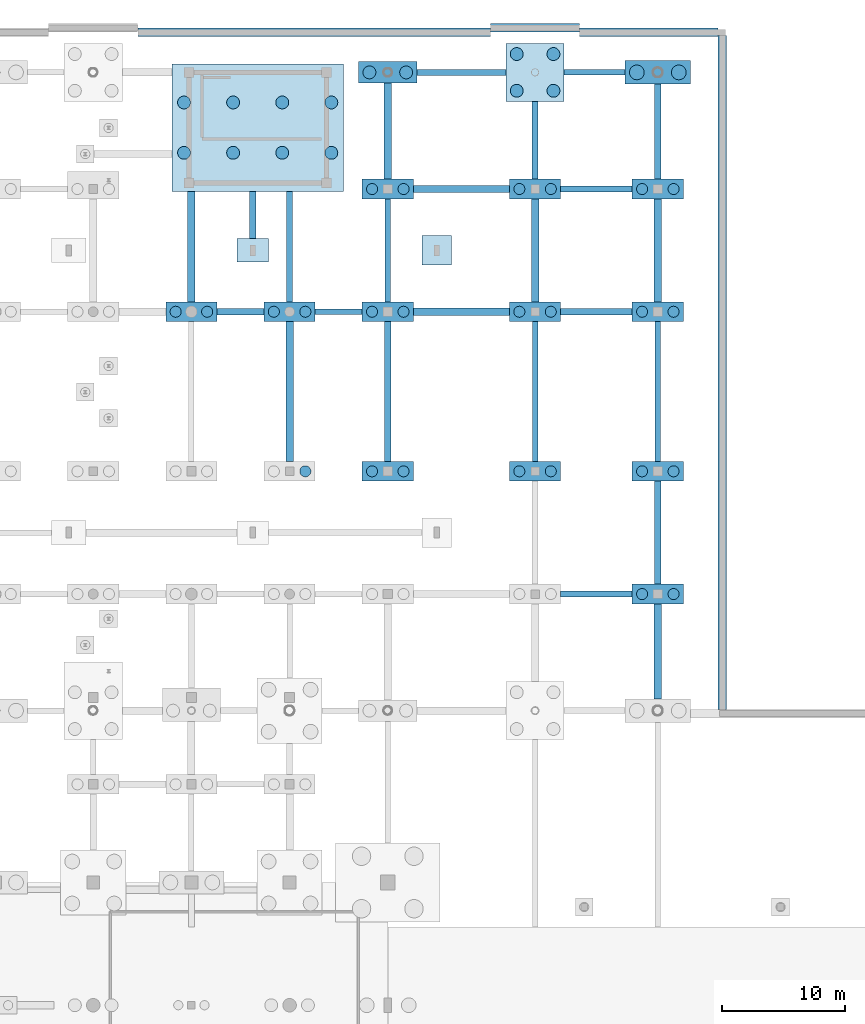
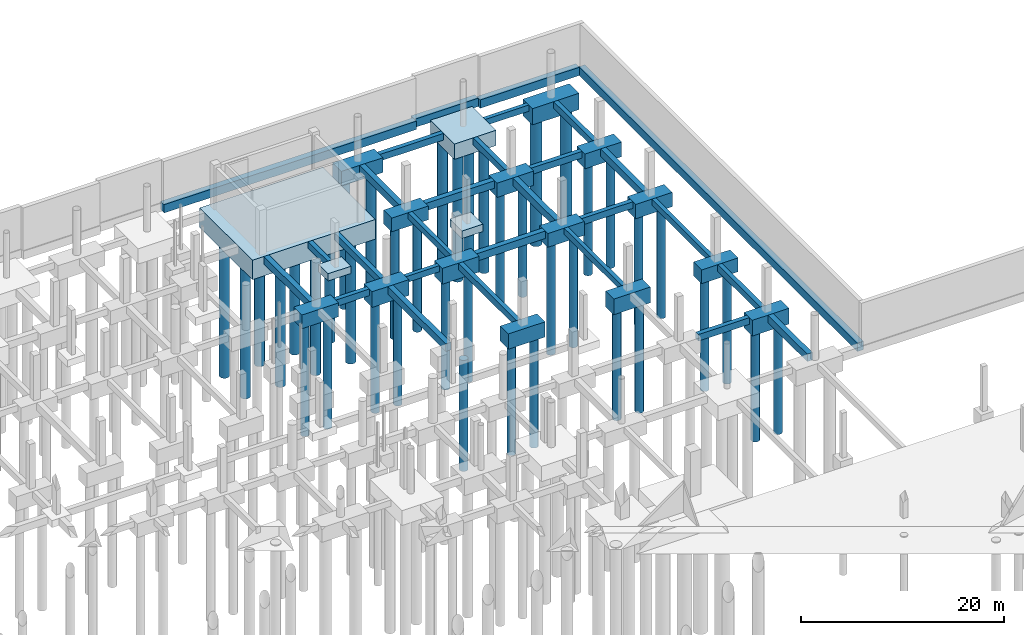
# One storey, part 17 of 65: 46 footings, 41 piles.
"""IFC4 building model written with IfcOpenShell, lengths in metres."""

from ifc_helpers import new_model, si_unit, direction, frame, origin, origin_2d, place, context, subcontext, project, spatial, rectangle, circle, extrude, material, material_profile, profile_set, type_object, element, save


model = new_model("IFC4")

# Units and contexts
model_context = context("Model", 3, precision=1e-05, world=origin(), true_north=direction((0.0, 1.0)))
body_context = subcontext(model_context, "Body", "Model", "MODEL_VIEW")
ifc_project = project(units=[si_unit("LENGTHUNIT", "METRE"), si_unit("AREAUNIT", "SQUARE_METRE"), si_unit("VOLUMEUNIT", "CUBIC_METRE"), si_unit("PLANEANGLEUNIT", "RADIAN"), si_unit("MASSUNIT", "GRAM", prefix="KILO")], contexts=[model_context])

# Site, building, storey
site_placement = place(None, origin())
site = spatial("IfcSite", under=ifc_project, at=site_placement, CompositionType="ELEMENT")
building_placement = place(site_placement, origin())
building = spatial("IfcBuilding", under=site, at=building_placement, Name="Khorjan Park Terminus", CompositionType="ELEMENT")
storey_placement = place(building_placement, frame((0.0, 0.0, -5.4)))
storey = spatial("IfcBuildingStorey", under=building, at=storey_placement, Name="B1", CompositionType="ELEMENT", Elevation=-5.4)

# Footings
ifc_material = material(Name="Concrete C40/50", Category="concrete")
ifc_material_profile_1 = material_profile(ifc_material, rectangle(XDim=0.45, YDim=0.75, at=origin_2d()), Name="RC 450x750")
ifc_profile_set_1 = profile_set([ifc_material_profile_1], Name="Concrete C40/50")
footing_type_1 = type_object("IfcFootingType", Name="FTG-GB-450x750", PredefinedType="FOOTING_BEAM", material=ifc_profile_set_1)
footing_1_placement = place(storey_placement, frame((130.083, 134.5, -0.375), z_axis=(1.0, 0.0, 0.0), x_axis=(0.0, 1.0, 0.0)))
element("IfcFooting", 1, at=footing_1_placement, inside=storey, type_object=footing_type_1, Name="Reinforced concrete ground tie beam FB-07 (149)", PredefinedType="FOOTING_BEAM", context=body_context, shape_type="SweptSolid", body=[
    extrude(rectangle(XDim=0.45, YDim=0.75, at=origin_2d()), origin(), (0.0, 0.0, 1.0), 3.834),
])
footing_2_placement = place(storey_placement, frame((150.371, 154.0, -0.375), z_axis=(1.0, 0.0, 0.0), x_axis=(0.0, 1.0, 0.0)))
element("IfcFooting", 2, at=footing_2_placement, inside=storey, type_object=footing_type_1, Name="Reinforced concrete ground tie beam FB-07 (179)", PredefinedType="FOOTING_BEAM", context=body_context, shape_type="SweptSolid", body=[
    extrude(rectangle(XDim=0.45, YDim=0.75, at=origin_2d()), origin(), (0.0, 0.0, 1.0), 4.969),
])
footing_3_placement = place(storey_placement, frame((136.0, 135.3, -0.375), z_axis=(0.0, 1.0, 0.0), x_axis=(-1.0, 0.0, 0.0)))
element("IfcFooting", 3, at=footing_3_placement, inside=storey, type_object=footing_type_1, Name="Reinforced concrete ground tie beam FB-07 (362)", PredefinedType="FOOTING_BEAM", context=body_context, shape_type="SweptSolid", body=[
    extrude(rectangle(XDim=0.45, YDim=0.75, at=origin_2d()), origin(), (0.0, 0.0, 1.0), 8.4),
])
for number, where, z_axis, x_axis, name in (
    (4, (148.0, 122.3, -0.375), (0.0, 1.0, 0.0), (-1.0, 0.0, 0.0), "Reinforced concrete ground tie beam FB-07 (368)"),
    (5, (158.0, 122.3, -0.375), (0.0, 1.0, 0.0), (-1.0, 0.0, 0.0), "Reinforced concrete ground tie beam FB-07 (374)"),
):
    element("IfcFooting", number, at=place(storey_placement, frame(where, z_axis=z_axis, x_axis=x_axis)), inside=storey, type_object=footing_type_1, Name=name, PredefinedType="FOOTING_BEAM", context=body_context, shape_type="SweptSolid", body=[
        extrude(rectangle(XDim=0.45, YDim=0.75, at=origin_2d()), origin(), (0.0, 0.0, 1.0), 11.4),
    ])
ifc_material_profile_2 = material_profile(ifc_material, rectangle(XDim=0.5, YDim=0.8, at=origin_2d()), Name="RC 500x800")
ifc_profile_set_2 = profile_set([ifc_material_profile_2], Name="Concrete C40/50")
footing_type_2 = type_object("IfcFootingType", Name="FTG-GB-500x800", PredefinedType="FOOTING_BEAM", material=ifc_profile_set_2)
footing_4_placement = place(storey_placement, frame((150.083, 111.5, -0.4), z_axis=(1.0, 0.0, 0.0), x_axis=(0.0, 1.0, 0.0)))
element("IfcFooting", 6, at=footing_4_placement, inside=storey, type_object=footing_type_2, Name="Reinforced concrete ground tie beam FB-08 (124)", PredefinedType="FOOTING_BEAM", context=body_context, shape_type="SweptSolid", body=[
    extrude(rectangle(XDim=0.5, YDim=0.8, at=origin_2d()), origin(), (0.0, 0.0, 1.0), 5.834),
])
footing_5_placement = place(storey_placement, frame((122.082, 134.5, -0.4), z_axis=(1.0, 0.0, 0.0), x_axis=(0.0, 1.0, 0.0)))
element("IfcFooting", 7, at=footing_5_placement, inside=storey, type_object=footing_type_2, Name="Reinforced concrete ground tie beam FB-08 (148)", PredefinedType="FOOTING_BEAM", context=body_context, shape_type="SweptSolid", body=[
    extrude(rectangle(XDim=0.5, YDim=0.8, at=origin_2d()), origin(), (0.0, 0.0, 1.0), 3.836),
])
for number, where, z_axis, x_axis, name in (
    (8, (150.083, 134.5, -0.4), (1.0, 0.0, 0.0), (0.0, 1.0, 0.0), "Reinforced concrete ground tie beam FB-08 (151)"),
    (9, (150.083, 144.5, -0.4), (1.0, 0.0, 0.0), (0.0, 1.0, 0.0), "Reinforced concrete ground tie beam FB-08 (163)"),
):
    element("IfcFooting", number, at=place(storey_placement, frame(where, z_axis=z_axis, x_axis=x_axis)), inside=storey, type_object=footing_type_2, Name=name, PredefinedType="FOOTING_BEAM", context=body_context, shape_type="SweptSolid", body=[
        extrude(rectangle(XDim=0.5, YDim=0.8, at=origin_2d()), origin(), (0.0, 0.0, 1.0), 5.834),
    ])
footing_6_placement = place(storey_placement, frame((138.371, 154.0, -0.4), z_axis=(1.0, 0.0, 0.0), x_axis=(0.0, 1.0, 0.0)))
element("IfcFooting", 10, at=footing_6_placement, inside=storey, type_object=footing_type_2, Name="Reinforced concrete ground tie beam FB-08 (178)", PredefinedType="FOOTING_BEAM", context=body_context, shape_type="SweptSolid", body=[
    extrude(rectangle(XDim=0.5, YDim=0.8, at=origin_2d()), origin(), (0.0, 0.0, 1.0), 7.258),
])
footing_7_placement = place(storey_placement, frame((125.0, 140.45, -0.4), z_axis=(0.0, 1.0, 0.0), x_axis=(-1.0, 0.0, 0.0)))
element("IfcFooting", 11, at=footing_7_placement, inside=storey, type_object=footing_type_2, Name="Reinforced concrete ground tie beam FB-08 (352)", PredefinedType="FOOTING_BEAM", context=body_context, shape_type="SweptSolid", body=[
    extrude(rectangle(XDim=0.5, YDim=0.8, at=origin_2d()), origin(), (0.0, 0.0, 1.0), 3.85),
])
footing_8_placement = place(storey_placement, frame((128.0, 135.3, -0.4), z_axis=(0.0, 1.0, 0.0), x_axis=(-1.0, 0.0, 0.0)))
element("IfcFooting", 12, at=footing_8_placement, inside=storey, type_object=footing_type_2, Name="Reinforced concrete ground tie beam FB-08 (358)", PredefinedType="FOOTING_BEAM", context=body_context, shape_type="SweptSolid", body=[
    extrude(rectangle(XDim=0.5, YDim=0.8, at=origin_2d()), origin(), (0.0, 0.0, 1.0), 9.0),
])
footing_9_placement = place(storey_placement, frame((136.0, 122.3, -0.4), z_axis=(0.0, 1.0, 0.0), x_axis=(-1.0, 0.0, 0.0)))
element("IfcFooting", 13, at=footing_9_placement, inside=storey, type_object=footing_type_2, Name="Reinforced concrete ground tie beam FB-08 (361)", PredefinedType="FOOTING_BEAM", context=body_context, shape_type="SweptSolid", body=[
    extrude(rectangle(XDim=0.5, YDim=0.8, at=origin_2d()), origin(), (0.0, 0.0, 1.0), 11.4),
])
footing_10_placement = place(storey_placement, frame((148.0, 145.3, -0.4), z_axis=(0.0, 1.0, 0.0), x_axis=(-1.0, 0.0, 0.0)))
element("IfcFooting", 14, at=footing_10_placement, inside=storey, type_object=footing_type_2, Name="Reinforced concrete ground tie beam FB-08 (370)", PredefinedType="FOOTING_BEAM", context=body_context, shape_type="SweptSolid", body=[
    extrude(rectangle(XDim=0.5, YDim=0.8, at=origin_2d()), origin(), (0.0, 0.0, 1.0), 6.329),
])
footing_11_placement = place(storey_placement, frame((158.0, 112.3, -0.4), z_axis=(0.0, 1.0, 0.0), x_axis=(-1.0, 0.0, 0.0)))
element("IfcFooting", 15, at=footing_11_placement, inside=storey, type_object=footing_type_2, Name="Reinforced concrete ground tie beam FB-08 (373)", PredefinedType="FOOTING_BEAM", context=body_context, shape_type="SweptSolid", body=[
    extrude(rectangle(XDim=0.5, YDim=0.8, at=origin_2d()), origin(), (0.0, 0.0, 1.0), 8.4),
])
footing_12_placement = place(storey_placement, frame((158.0, 145.3, -0.4), z_axis=(0.0, 1.0, 0.0), x_axis=(-1.0, 0.0, 0.0)))
element("IfcFooting", 16, at=footing_12_placement, inside=storey, type_object=footing_type_2, Name="Reinforced concrete ground tie beam FB-08 (376)", PredefinedType="FOOTING_BEAM", context=body_context, shape_type="SweptSolid", body=[
    extrude(rectangle(XDim=0.5, YDim=0.8, at=origin_2d()), origin(), (0.0, 0.0, 1.0), 7.75),
])
ifc_material_profile_3 = material_profile(ifc_material, rectangle(XDim=0.6, YDim=0.9, at=origin_2d()), Name="RC 600x900")
ifc_profile_set_3 = profile_set([ifc_material_profile_3], Name="Concrete C40/50")
footing_type_3 = type_object("IfcFootingType", Name="FTG-GB-600x900", PredefinedType="FOOTING_BEAM", material=ifc_profile_set_3)
for number, where, z_axis, x_axis, name in (
    (17, (138.083, 134.5, -0.45), (1.0, 0.0, 0.0), (0.0, 1.0, 0.0), "Reinforced concrete ground tie beam FB-09 (150)"),
    (18, (138.083, 144.5, -0.45), (1.0, 0.0, 0.0), (0.0, 1.0, 0.0), "Reinforced concrete ground tie beam FB-09 (162)"),
):
    element("IfcFooting", number, at=place(storey_placement, frame(where, z_axis=z_axis, x_axis=x_axis)), inside=storey, type_object=footing_type_3, Name=name, PredefinedType="FOOTING_BEAM", context=body_context, shape_type="SweptSolid", body=[
        extrude(rectangle(XDim=0.6, YDim=0.9, at=origin_2d()), origin(), (0.0, 0.0, 1.0), 7.834),
    ])
footing_13_placement = place(storey_placement, frame((120.0, 135.3, -0.45), z_axis=(0.0, 1.0, 0.0), x_axis=(-1.0, 0.0, 0.0)))
element("IfcFooting", 19, at=footing_13_placement, inside=storey, type_object=footing_type_3, Name="Reinforced concrete ground tie beam FB-09 (351)", PredefinedType="FOOTING_BEAM", context=body_context, shape_type="SweptSolid", body=[
    extrude(rectangle(XDim=0.6, YDim=0.9, at=origin_2d()), origin(), (0.0, 0.0, 1.0), 9.0),
])
footing_14_placement = place(storey_placement, frame((128.0, 122.3, -0.45), z_axis=(0.0, 1.0, 0.0), x_axis=(-1.0, 0.0, 0.0)))
element("IfcFooting", 20, at=footing_14_placement, inside=storey, type_object=footing_type_3, Name="Reinforced concrete ground tie beam FB-09 (357)", PredefinedType="FOOTING_BEAM", context=body_context, shape_type="SweptSolid", body=[
    extrude(rectangle(XDim=0.6, YDim=0.9, at=origin_2d()), origin(), (0.0, 0.0, 1.0), 11.4),
])
footing_15_placement = place(storey_placement, frame((136.0, 145.3, -0.45), z_axis=(0.0, 1.0, 0.0), x_axis=(-1.0, 0.0, 0.0)))
element("IfcFooting", 21, at=footing_15_placement, inside=storey, type_object=footing_type_3, Name="Reinforced concrete ground tie beam FB-09 (363)", PredefinedType="FOOTING_BEAM", context=body_context, shape_type="SweptSolid", body=[
    extrude(rectangle(XDim=0.6, YDim=0.9, at=origin_2d()), origin(), (0.0, 0.0, 1.0), 7.825),
])
footing_16_placement = place(storey_placement, frame((148.0, 135.3, -0.45), z_axis=(0.0, 1.0, 0.0), x_axis=(-1.0, 0.0, 0.0)))
element("IfcFooting", 22, at=footing_16_placement, inside=storey, type_object=footing_type_3, Name="Reinforced concrete ground tie beam FB-09 (369)", PredefinedType="FOOTING_BEAM", context=body_context, shape_type="SweptSolid", body=[
    extrude(rectangle(XDim=0.6, YDim=0.9, at=origin_2d()), origin(), (0.0, 0.0, 1.0), 8.4),
])
footing_17_placement = place(storey_placement, frame((158.0, 102.95, -0.45), z_axis=(0.0, 1.0, 0.0), x_axis=(-1.0, 0.0, 0.0)))
element("IfcFooting", 23, at=footing_17_placement, inside=storey, type_object=footing_type_3, Name="Reinforced concrete ground tie beam FB-09 (372)", PredefinedType="FOOTING_BEAM", context=body_context, shape_type="SweptSolid", body=[
    extrude(rectangle(XDim=0.6, YDim=0.9, at=origin_2d()), origin(), (0.0, 0.0, 1.0), 7.75),
])
footing_18_placement = place(storey_placement, frame((158.0, 135.3, -0.45), z_axis=(0.0, 1.0, 0.0), x_axis=(-1.0, 0.0, 0.0)))
element("IfcFooting", 24, at=footing_18_placement, inside=storey, type_object=footing_type_3, Name="Reinforced concrete ground tie beam FB-09 (375)", PredefinedType="FOOTING_BEAM", context=body_context, shape_type="SweptSolid", body=[
    extrude(rectangle(XDim=0.6, YDim=0.9, at=origin_2d()), origin(), (0.0, 0.0, 1.0), 8.4),
])
footing_type_4 = type_object("IfcFootingType", Name="FTG-PAD-2400", PredefinedType="PAD_FOOTING", material=ifc_material)
footing_19_placement = place(storey_placement, frame((140.0, 139.5, -0.9), z_axis=(0.0, 0.0, 1.0), x_axis=(1.0, 0.0, 0.0)))
element("IfcFooting", 25, at=footing_19_placement, inside=storey, type_object=footing_type_4, Name="Reinforced concrete pad footing PF-24 (20)", PredefinedType="PAD_FOOTING", context=body_context, shape_type="SweptSolid", body=[
    extrude(rectangle(XDim=2.4, YDim=2.4, at=origin_2d()), origin(), (0.0, 0.0, 1.0), 0.9),
])
footing_type_5 = type_object("IfcFootingType", Name="FTG-PAD-2600x1900", PredefinedType="PAD_FOOTING", material=ifc_material)
footing_20_placement = place(storey_placement, frame((125.0, 139.5, -0.88), z_axis=(0.0, 0.0, 1.0), x_axis=(1.0, 0.0, 0.0)))
element("IfcFooting", 26, at=footing_20_placement, inside=storey, type_object=footing_type_5, Name="Reinforced concrete pad footing PF-26 (19)", PredefinedType="PAD_FOOTING", context=body_context, shape_type="SweptSolid", body=[
    extrude(rectangle(XDim=2.6, YDim=1.9, at=origin_2d()), origin(), (0.0, 0.0, 1.0), 0.88),
])
footing_type_6 = type_object("IfcFootingType", Name="FTG-PC-02", PredefinedType="PILE_CAP", material=ifc_material)
footing_21_placement = place(storey_placement, frame((128.0005, 134.5, -1.9), z_axis=(0.0, 0.0, 1.0), x_axis=(1.0, 0.0, 0.0)))
element("IfcFooting", 27, at=footing_21_placement, inside=storey, type_object=footing_type_6, Name="Reinforced concrete pile cap PC-02 (244)", PredefinedType="PILE_CAP", context=body_context, shape_type="SweptSolid", body=[
    extrude(rectangle(XDim=4.165, YDim=1.6, at=origin_2d()), origin(), (0.0, 0.0, 1.0), 1.9),
])
for number, where, z_axis, x_axis, name in (
    (28, (136.0, 134.5, -1.9), (0.0, 0.0, 1.0), (1.0, 0.0, 0.0), "Reinforced concrete pile cap PC-02 (254)"),
    (29, (148.0, 121.5, -1.9), (0.0, 0.0, 1.0), (1.0, 0.0, 0.0), "Reinforced concrete pile cap PC-02 (260)"),
    (30, (158.0, 111.5, -1.9), (0.0, 0.0, 1.0), (1.0, 0.0, 0.0), "Reinforced concrete pile cap PC-02 (266)"),
):
    element("IfcFooting", number, at=place(storey_placement, frame(where, z_axis=z_axis, x_axis=x_axis)), inside=storey, type_object=footing_type_6, Name=name, PredefinedType="PILE_CAP", context=body_context, shape_type="SweptSolid", body=[
        extrude(rectangle(XDim=4.166, YDim=1.6, at=origin_2d()), origin(), (0.0, 0.0, 1.0), 1.9),
    ])
footing_type_7 = type_object("IfcFootingType", Name="FTG-PC-05", PredefinedType="PILE_CAP", material=ifc_material)
footing_22_placement = place(storey_placement, frame((158.0, 144.5, -1.78), z_axis=(0.0, 0.0, 1.0), x_axis=(1.0, 0.0, 0.0)))
element("IfcFooting", 31, at=footing_22_placement, inside=storey, type_object=footing_type_7, Name="Reinforced concrete pile cap PC-05 (269)", PredefinedType="PILE_CAP", context=body_context, shape_type="SweptSolid", body=[
    extrude(rectangle(XDim=4.166, YDim=1.6, at=origin_2d()), origin(), (0.0, 0.0, 1.0), 1.78),
])
footing_type_8 = type_object("IfcFootingType", Name="FTG-PC-06", PredefinedType="PILE_CAP", material=ifc_material)
footing_23_placement = place(storey_placement, frame((136.0, 121.5, -1.84), z_axis=(0.0, 0.0, 1.0), x_axis=(1.0, 0.0, 0.0)))
element("IfcFooting", 32, at=footing_23_placement, inside=storey, type_object=footing_type_8, Name="Reinforced concrete pile cap PC-06 (253)", PredefinedType="PILE_CAP", context=body_context, shape_type="SweptSolid", body=[
    extrude(rectangle(XDim=4.166, YDim=1.6, at=origin_2d()), origin(), (0.0, 0.0, 1.0), 1.84),
])
footing_type_9 = type_object("IfcFootingType", Name="FTG-PC-07", PredefinedType="PILE_CAP", material=ifc_material)
for number, where, z_axis, x_axis, name in (
    (33, (136.0, 144.5, -1.66), (0.0, 0.0, 1.0), (1.0, 0.0, 0.0), "Reinforced concrete pile cap PC-07 (255)"),
    (34, (148.0, 134.5, -1.66), (0.0, 0.0, 1.0), (1.0, 0.0, 0.0), "Reinforced concrete pile cap PC-07 (261)"),
    (35, (158.0, 121.5, -1.66), (0.0, 0.0, 1.0), (1.0, 0.0, 0.0), "Reinforced concrete pile cap PC-07 (267)"),
):
    element("IfcFooting", number, at=place(storey_placement, frame(where, z_axis=z_axis, x_axis=x_axis)), inside=storey, type_object=footing_type_9, Name=name, PredefinedType="PILE_CAP", context=body_context, shape_type="SweptSolid", body=[
        extrude(rectangle(XDim=4.166, YDim=1.6, at=origin_2d()), origin(), (0.0, 0.0, 1.0), 1.66),
    ])
footing_type_10 = type_object("IfcFootingType", Name="FTG-PC-08", PredefinedType="PILE_CAP", material=ifc_material)
for number, where, z_axis, x_axis, name in (
    (36, (148.0, 144.5, -1.72), (0.0, 0.0, 1.0), (1.0, 0.0, 0.0), "Reinforced concrete pile cap PC-08 (262)"),
    (37, (158.0, 134.5, -1.72), (0.0, 0.0, 1.0), (1.0, 0.0, 0.0), "Reinforced concrete pile cap PC-08 (268)"),
):
    element("IfcFooting", number, at=place(storey_placement, frame(where, z_axis=z_axis, x_axis=x_axis)), inside=storey, type_object=footing_type_10, Name=name, PredefinedType="PILE_CAP", context=body_context, shape_type="SweptSolid", body=[
        extrude(rectangle(XDim=4.166, YDim=1.6, at=origin_2d()), origin(), (0.0, 0.0, 1.0), 1.72),
    ])
footing_type_11 = type_object("IfcFootingType", Name="FTG-PC-13", PredefinedType="PILE_CAP", material=ifc_material)
footing_24_placement = place(storey_placement, frame((120.0, 134.5, -1.66), z_axis=(0.0, 0.0, 1.0), x_axis=(1.0, 0.0, 0.0)))
element("IfcFooting", 38, at=footing_24_placement, inside=storey, type_object=footing_type_11, Name="Reinforced concrete pile cap PC-13 (237)", PredefinedType="PILE_CAP", context=body_context, shape_type="SweptSolid", body=[
    extrude(rectangle(XDim=4.164, YDim=1.6, at=origin_2d()), origin(), (0.0, 0.0, 1.0), 1.66),
])
footing_type_12 = type_object("IfcFootingType", Name="FTG-PC-47", PredefinedType="PILE_CAP", material=ifc_material)
footing_25_placement = place(storey_placement, frame((158.0, 154.0, -1.96), z_axis=(0.0, 0.0, 1.0), x_axis=(1.0, 0.0, 0.0)))
element("IfcFooting", 39, at=footing_25_placement, inside=storey, type_object=footing_type_12, Name="Reinforced concrete pile cap PC-47 (265)", PredefinedType="PILE_CAP", context=body_context, shape_type="SweptSolid", body=[
    extrude(rectangle(XDim=5.32, YDim=1.9, at=origin_2d()), origin(), (0.0, 0.0, 1.0), 1.96),
])
footing_type_13 = type_object("IfcFootingType", Name="FTG-PC-52", PredefinedType="PILE_CAP", material=ifc_material)
footing_26_placement = place(storey_placement, frame((148.0, 154.0, -1.84), z_axis=(0.0, 0.0, 1.0), x_axis=(1.0, 0.0, 0.0)))
element("IfcFooting", 40, at=footing_26_placement, inside=storey, type_object=footing_type_13, Name="Reinforced concrete pile cap PC-52 (258)", PredefinedType="PILE_CAP", context=body_context, shape_type="SweptSolid", body=[
    extrude(rectangle(XDim=4.742, YDim=4.742, at=origin_2d()), origin(), (0.0, 0.0, 1.0), 1.84),
])
footing_type_14 = type_object("IfcFootingType", Name="FTG-PC-54", PredefinedType="PILE_CAP", material=ifc_material)
footing_27_placement = place(storey_placement, frame((125.4, 149.5, -2.36), z_axis=(0.0, 0.0, 1.0), x_axis=(1.0, 0.0, 0.0)))
element("IfcFooting", 41, at=footing_27_placement, inside=storey, type_object=footing_type_14, Name="Reinforced concrete pile cap PC-54 (238)", PredefinedType="PILE_CAP", context=body_context, shape_type="SweptSolid", body=[
    extrude(rectangle(XDim=14.0, YDim=10.4, at=origin_2d()), origin(), (0.0, 0.0, 1.0), 2.36),
])
footing_type_15 = type_object("IfcFootingType", Name="FTG-PC-56", PredefinedType="PILE_CAP", material=ifc_material)
footing_28_placement = place(storey_placement, frame((136.0, 154.0, -1.78), z_axis=(0.0, 0.0, 1.0), x_axis=(1.0, 0.0, 0.0)))
element("IfcFooting", 42, at=footing_28_placement, inside=storey, type_object=footing_type_15, Name="Reinforced concrete pile cap PC-56 (251)", PredefinedType="PILE_CAP", context=body_context, shape_type="SweptSolid", body=[
    extrude(rectangle(XDim=4.742, YDim=1.75, at=origin_2d()), origin(), (0.0, 0.0, 1.0), 1.78),
])
ifc_material_profile_4 = material_profile(ifc_material, rectangle(XDim=0.7, YDim=1.0, at=origin_2d()), Name="RC 700x1000")
ifc_profile_set_4 = profile_set([ifc_material_profile_4], Name="Concrete C40/50")
footing_type_16 = type_object("IfcFootingType", Name="FTG-SF-700x1000", PredefinedType="STRIP_FOOTING", material=ifc_profile_set_4)
footing_29_placement = place(storey_placement, frame((163.26, 157.02, -0.5), z_axis=(0.0, -1.0, 0.0), x_axis=(1.0, 0.0, 0.0)))
element("IfcFooting", 43, at=footing_29_placement, inside=storey, type_object=footing_type_16, Name="Reinforced concrete wall strip footing SF-07 (45)", PredefinedType="STRIP_FOOTING", context=body_context, shape_type="SweptSolid", body=[
    extrude(rectangle(XDim=0.7, YDim=1.0, at=origin_2d()), origin(), (0.0, 0.0, 1.0), 54.907),
])
footing_30_placement = place(storey_placement, frame((115.631, 157.26, -0.5), z_axis=(1.0, 0.0, 0.0), x_axis=(0.0, 1.0, 0.0)))
element("IfcFooting", 44, at=footing_30_placement, inside=storey, type_object=footing_type_16, Name="Reinforced concrete wall strip footing SF-07 (48)", PredefinedType="STRIP_FOOTING", context=body_context, shape_type="SweptSolid", body=[
    extrude(rectangle(XDim=0.7, YDim=1.0, at=origin_2d()), origin(), (0.0, 0.0, 1.0), 28.738),
])
footing_31_placement = place(storey_placement, frame((151.631, 157.26, -0.5), z_axis=(1.0, 0.0, 0.0), x_axis=(0.0, 1.0, 0.0)))
element("IfcFooting", 45, at=footing_31_placement, inside=storey, type_object=footing_type_16, Name="Reinforced concrete wall strip footing SF-07 (55)", PredefinedType="STRIP_FOOTING", context=body_context, shape_type="SweptSolid", body=[
    extrude(rectangle(XDim=0.7, YDim=1.0, at=origin_2d()), origin(), (0.0, 0.0, 1.0), 11.276),
])
footing_32_placement = place(storey_placement, frame((144.372, 157.631, -0.5), z_axis=(1.0, 0.0, 0.0), x_axis=(0.0, 1.0, 0.0)))
element("IfcFooting", 46, at=footing_32_placement, inside=storey, type_object=footing_type_16, Name="Reinforced concrete wall strip footing SF-07 (77)", PredefinedType="STRIP_FOOTING", context=body_context, shape_type="SweptSolid", body=[
    extrude(rectangle(XDim=0.7, YDim=1.0, at=origin_2d()), origin(), (0.0, 0.0, 1.0), 7.256),
])

# Piles
ifc_material_profile_5 = material_profile(ifc_material, circle(Radius=0.525, at=origin_2d()), Name="BORED D1050")
ifc_profile_set_5 = profile_set([ifc_material_profile_5], Name="Concrete C40/50")
pile_type_1 = type_object("IfcPileType", Name="PL-D1050", PredefinedType="BORED", material=ifc_profile_set_5)
for number, where, z_axis, x_axis, name in (
    (47, (119.4, 147.45, -2.26), (0.0, 0.0, -1.0), (1.0, 0.0, 0.0), "Bored rock-socketed pile PL-105 (785)"),
    (48, (119.4, 151.55, -2.26), (0.0, 0.0, -1.0), (1.0, 0.0, 0.0), "Bored rock-socketed pile PL-105 (786)"),
    (49, (123.4, 147.45, -2.26), (0.0, 0.0, -1.0), (1.0, 0.0, 0.0), "Bored rock-socketed pile PL-105 (787)"),
    (50, (123.4, 151.55, -2.26), (0.0, 0.0, -1.0), (1.0, 0.0, 0.0), "Bored rock-socketed pile PL-105 (788)"),
    (51, (127.4, 147.45, -2.26), (0.0, 0.0, -1.0), (1.0, 0.0, 0.0), "Bored rock-socketed pile PL-105 (789)"),
    (52, (127.4, 151.55, -2.26), (0.0, 0.0, -1.0), (1.0, 0.0, 0.0), "Bored rock-socketed pile PL-105 (790)"),
    (53, (131.4, 147.45, -2.26), (0.0, 0.0, -1.0), (1.0, 0.0, 0.0), "Bored rock-socketed pile PL-105 (791)"),
    (54, (131.4, 151.55, -2.26), (0.0, 0.0, -1.0), (1.0, 0.0, 0.0), "Bored rock-socketed pile PL-105 (792)"),
):
    element("IfcPile", number, at=place(storey_placement, frame(where, z_axis=z_axis, x_axis=x_axis)), inside=storey, type_object=pile_type_1, Name=name, PredefinedType="BORED", context=body_context, shape_type="SweptSolid", body=[
        extrude(circle(Radius=0.525, at=origin_2d()), origin(), (0.0, 0.0, 1.0), 16.34),
    ])
for number, where, z_axis, x_axis, name in (
    (55, (134.5035, 154.0, -1.68), (0.0, 0.0, -1.0), (1.0, 0.0, 0.0), "Bored rock-socketed pile PL-105 (819)"),
    (56, (137.4965, 154.0, -1.68), (0.0, 0.0, -1.0), (1.0, 0.0, 0.0), "Bored rock-socketed pile PL-105 (820)"),
):
    element("IfcPile", number, at=place(storey_placement, frame(where, z_axis=z_axis, x_axis=x_axis)), inside=storey, type_object=pile_type_1, Name=name, PredefinedType="BORED", context=body_context, shape_type="SweptSolid", body=[
        extrude(circle(Radius=0.525, at=origin_2d()), origin(), (0.0, 0.0, 1.0), 15.42),
    ])
for number, where, z_axis, x_axis, name in (
    (57, (146.5035, 152.5035, -1.74), (0.0, 0.0, -1.0), (1.0, 0.0, 0.0), "Bored rock-socketed pile PL-105 (834)"),
    (58, (146.5035, 155.4965, -1.74), (0.0, 0.0, -1.0), (1.0, 0.0, 0.0), "Bored rock-socketed pile PL-105 (835)"),
    (59, (149.4965, 152.5035, -1.74), (0.0, 0.0, -1.0), (1.0, 0.0, 0.0), "Bored rock-socketed pile PL-105 (836)"),
    (60, (149.4965, 155.4965, -1.74), (0.0, 0.0, -1.0), (1.0, 0.0, 0.0), "Bored rock-socketed pile PL-105 (837)"),
):
    element("IfcPile", number, at=place(storey_placement, frame(where, z_axis=z_axis, x_axis=x_axis)), inside=storey, type_object=pile_type_1, Name=name, PredefinedType="BORED", context=body_context, shape_type="SweptSolid", body=[
        extrude(circle(Radius=0.525, at=origin_2d()), origin(), (0.0, 0.0, 1.0), 15.36),
    ])
ifc_material_profile_6 = material_profile(ifc_material, circle(Radius=0.6, at=origin_2d()), Name="BORED D1200")
ifc_profile_set_6 = profile_set([ifc_material_profile_6], Name="Concrete C40/50")
pile_type_2 = type_object("IfcPileType", Name="PL-D1200", PredefinedType="BORED", material=ifc_profile_set_6)
for number, where, z_axis, x_axis, name in (
    (61, (156.29, 154.0, -1.86), (0.0, 0.0, -1.0), (1.0, 0.0, 0.0), "Bored rock-socketed pile PL-120 (849)"),
    (62, (159.71, 154.0, -1.86), (0.0, 0.0, -1.0), (1.0, 0.0, 0.0), "Bored rock-socketed pile PL-120 (850)"),
):
    element("IfcPile", number, at=place(storey_placement, frame(where, z_axis=z_axis, x_axis=x_axis)), inside=storey, type_object=pile_type_2, Name=name, PredefinedType="BORED", context=body_context, shape_type="SweptSolid", body=[
        extrude(circle(Radius=0.6, at=origin_2d()), origin(), (0.0, 0.0, 1.0), 15.24),
    ])
ifc_material_profile_7 = material_profile(ifc_material, circle(Radius=0.45, at=origin_2d()), Name="BORED D900")
ifc_profile_set_7 = profile_set([ifc_material_profile_7], Name="Concrete C40/50")
pile_type_3 = type_object("IfcPileType", Name="PL-D900", PredefinedType="BORED", material=ifc_profile_set_7)
for number, where, z_axis, x_axis, name in (
    (63, (118.7175, 134.5, -1.56), (0.0, 0.0, -1.0), (1.0, 0.0, 0.0), "Bored rock-socketed pile PL-90 (783)"),
    (64, (121.2825, 134.5, -1.56), (0.0, 0.0, -1.0), (1.0, 0.0, 0.0), "Bored rock-socketed pile PL-90 (784)"),
):
    element("IfcPile", number, at=place(storey_placement, frame(where, z_axis=z_axis, x_axis=x_axis)), inside=storey, type_object=pile_type_3, Name=name, PredefinedType="BORED", context=body_context, shape_type="SweptSolid", body=[
        extrude(circle(Radius=0.45, at=origin_2d()), origin(), (0.0, 0.0, 1.0), 13.54),
    ])
pile_placement = place(storey_placement, frame((129.2825, 121.5, -1.74), z_axis=(0.0, 0.0, -1.0), x_axis=(1.0, 0.0, 0.0)))
element("IfcPile", 65, at=pile_placement, inside=storey, type_object=pile_type_3, Name="Bored rock-socketed pile PL-90 (806)", PredefinedType="BORED", context=body_context, shape_type="SweptSolid", body=[
    extrude(circle(Radius=0.45, at=origin_2d()), origin(), (0.0, 0.0, 1.0), 13.36),
])
for number, where, z_axis, x_axis, name in (
    (66, (126.7175, 134.5, -1.8), (0.0, 0.0, -1.0), (1.0, 0.0, 0.0), "Bored rock-socketed pile PL-90 (807)"),
    (67, (129.2825, 134.5, -1.8), (0.0, 0.0, -1.0), (1.0, 0.0, 0.0), "Bored rock-socketed pile PL-90 (808)"),
):
    element("IfcPile", number, at=place(storey_placement, frame(where, z_axis=z_axis, x_axis=x_axis)), inside=storey, type_object=pile_type_3, Name=name, PredefinedType="BORED", context=body_context, shape_type="SweptSolid", body=[
        extrude(circle(Radius=0.45, at=origin_2d()), origin(), (0.0, 0.0, 1.0), 13.3),
    ])
for number, where, z_axis, x_axis, name in (
    (68, (134.7175, 121.5, -1.74), (0.0, 0.0, -1.0), (1.0, 0.0, 0.0), "Bored rock-socketed pile PL-90 (823)"),
    (69, (137.2825, 121.5, -1.74), (0.0, 0.0, -1.0), (1.0, 0.0, 0.0), "Bored rock-socketed pile PL-90 (824)"),
):
    element("IfcPile", number, at=place(storey_placement, frame(where, z_axis=z_axis, x_axis=x_axis)), inside=storey, type_object=pile_type_3, Name=name, PredefinedType="BORED", context=body_context, shape_type="SweptSolid", body=[
        extrude(circle(Radius=0.45, at=origin_2d()), origin(), (0.0, 0.0, 1.0), 13.36),
    ])
for number, where, z_axis, x_axis, name in (
    (70, (134.7175, 134.5, -1.8), (0.0, 0.0, -1.0), (1.0, 0.0, 0.0), "Bored rock-socketed pile PL-90 (825)"),
    (71, (137.2825, 134.5, -1.8), (0.0, 0.0, -1.0), (1.0, 0.0, 0.0), "Bored rock-socketed pile PL-90 (826)"),
):
    element("IfcPile", number, at=place(storey_placement, frame(where, z_axis=z_axis, x_axis=x_axis)), inside=storey, type_object=pile_type_3, Name=name, PredefinedType="BORED", context=body_context, shape_type="SweptSolid", body=[
        extrude(circle(Radius=0.45, at=origin_2d()), origin(), (0.0, 0.0, 1.0), 13.3),
    ])
for number, where, z_axis, x_axis, name in (
    (72, (134.7175, 144.5, -1.56), (0.0, 0.0, -1.0), (1.0, 0.0, 0.0), "Bored rock-socketed pile PL-90 (827)"),
    (73, (137.2825, 144.5, -1.56), (0.0, 0.0, -1.0), (1.0, 0.0, 0.0), "Bored rock-socketed pile PL-90 (828)"),
):
    element("IfcPile", number, at=place(storey_placement, frame(where, z_axis=z_axis, x_axis=x_axis)), inside=storey, type_object=pile_type_3, Name=name, PredefinedType="BORED", context=body_context, shape_type="SweptSolid", body=[
        extrude(circle(Radius=0.45, at=origin_2d()), origin(), (0.0, 0.0, 1.0), 13.54),
    ])
for number, where, z_axis, x_axis, name in (
    (74, (146.7175, 121.5, -1.8), (0.0, 0.0, -1.0), (1.0, 0.0, 0.0), "Bored rock-socketed pile PL-90 (840)"),
    (75, (149.2825, 121.5, -1.8), (0.0, 0.0, -1.0), (1.0, 0.0, 0.0), "Bored rock-socketed pile PL-90 (841)"),
):
    element("IfcPile", number, at=place(storey_placement, frame(where, z_axis=z_axis, x_axis=x_axis)), inside=storey, type_object=pile_type_3, Name=name, PredefinedType="BORED", context=body_context, shape_type="SweptSolid", body=[
        extrude(circle(Radius=0.45, at=origin_2d()), origin(), (0.0, 0.0, 1.0), 13.3),
    ])
for number, where, z_axis, x_axis, name in (
    (76, (146.7175, 134.5, -1.56), (0.0, 0.0, -1.0), (1.0, 0.0, 0.0), "Bored rock-socketed pile PL-90 (842)"),
    (77, (149.2825, 134.5, -1.56), (0.0, 0.0, -1.0), (1.0, 0.0, 0.0), "Bored rock-socketed pile PL-90 (843)"),
):
    element("IfcPile", number, at=place(storey_placement, frame(where, z_axis=z_axis, x_axis=x_axis)), inside=storey, type_object=pile_type_3, Name=name, PredefinedType="BORED", context=body_context, shape_type="SweptSolid", body=[
        extrude(circle(Radius=0.45, at=origin_2d()), origin(), (0.0, 0.0, 1.0), 13.54),
    ])
for number, where, z_axis, x_axis, name in (
    (78, (146.7175, 144.5, -1.62), (0.0, 0.0, -1.0), (1.0, 0.0, 0.0), "Bored rock-socketed pile PL-90 (844)"),
    (79, (149.2825, 144.5, -1.62), (0.0, 0.0, -1.0), (1.0, 0.0, 0.0), "Bored rock-socketed pile PL-90 (845)"),
):
    element("IfcPile", number, at=place(storey_placement, frame(where, z_axis=z_axis, x_axis=x_axis)), inside=storey, type_object=pile_type_3, Name=name, PredefinedType="BORED", context=body_context, shape_type="SweptSolid", body=[
        extrude(circle(Radius=0.45, at=origin_2d()), origin(), (0.0, 0.0, 1.0), 13.48),
    ])
for number, where, z_axis, x_axis, name in (
    (80, (156.7175, 111.5, -1.8), (0.0, 0.0, -1.0), (1.0, 0.0, 0.0), "Bored rock-socketed pile PL-90 (851)"),
    (81, (159.2825, 111.5, -1.8), (0.0, 0.0, -1.0), (1.0, 0.0, 0.0), "Bored rock-socketed pile PL-90 (852)"),
):
    element("IfcPile", number, at=place(storey_placement, frame(where, z_axis=z_axis, x_axis=x_axis)), inside=storey, type_object=pile_type_3, Name=name, PredefinedType="BORED", context=body_context, shape_type="SweptSolid", body=[
        extrude(circle(Radius=0.45, at=origin_2d()), origin(), (0.0, 0.0, 1.0), 13.3),
    ])
for number, where, z_axis, x_axis, name in (
    (82, (156.7175, 121.5, -1.56), (0.0, 0.0, -1.0), (1.0, 0.0, 0.0), "Bored rock-socketed pile PL-90 (853)"),
    (83, (159.2825, 121.5, -1.56), (0.0, 0.0, -1.0), (1.0, 0.0, 0.0), "Bored rock-socketed pile PL-90 (854)"),
):
    element("IfcPile", number, at=place(storey_placement, frame(where, z_axis=z_axis, x_axis=x_axis)), inside=storey, type_object=pile_type_3, Name=name, PredefinedType="BORED", context=body_context, shape_type="SweptSolid", body=[
        extrude(circle(Radius=0.45, at=origin_2d()), origin(), (0.0, 0.0, 1.0), 13.54),
    ])
for number, where, z_axis, x_axis, name in (
    (84, (156.7175, 134.5, -1.62), (0.0, 0.0, -1.0), (1.0, 0.0, 0.0), "Bored rock-socketed pile PL-90 (855)"),
    (85, (159.2825, 134.5, -1.62), (0.0, 0.0, -1.0), (1.0, 0.0, 0.0), "Bored rock-socketed pile PL-90 (856)"),
):
    element("IfcPile", number, at=place(storey_placement, frame(where, z_axis=z_axis, x_axis=x_axis)), inside=storey, type_object=pile_type_3, Name=name, PredefinedType="BORED", context=body_context, shape_type="SweptSolid", body=[
        extrude(circle(Radius=0.45, at=origin_2d()), origin(), (0.0, 0.0, 1.0), 13.48),
    ])
for number, where, z_axis, x_axis, name in (
    (86, (156.7175, 144.5, -1.68), (0.0, 0.0, -1.0), (1.0, 0.0, 0.0), "Bored rock-socketed pile PL-90 (857)"),
    (87, (159.2825, 144.5, -1.68), (0.0, 0.0, -1.0), (1.0, 0.0, 0.0), "Bored rock-socketed pile PL-90 (858)"),
):
    element("IfcPile", number, at=place(storey_placement, frame(where, z_axis=z_axis, x_axis=x_axis)), inside=storey, type_object=pile_type_3, Name=name, PredefinedType="BORED", context=body_context, shape_type="SweptSolid", body=[
        extrude(circle(Radius=0.45, at=origin_2d()), origin(), (0.0, 0.0, 1.0), 13.42),
    ])

save(model, "model.ifc")
